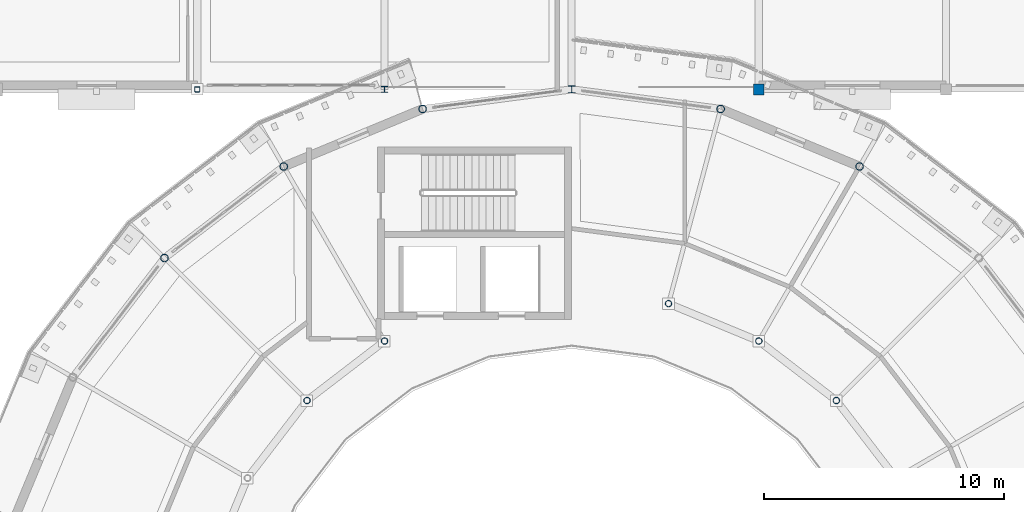
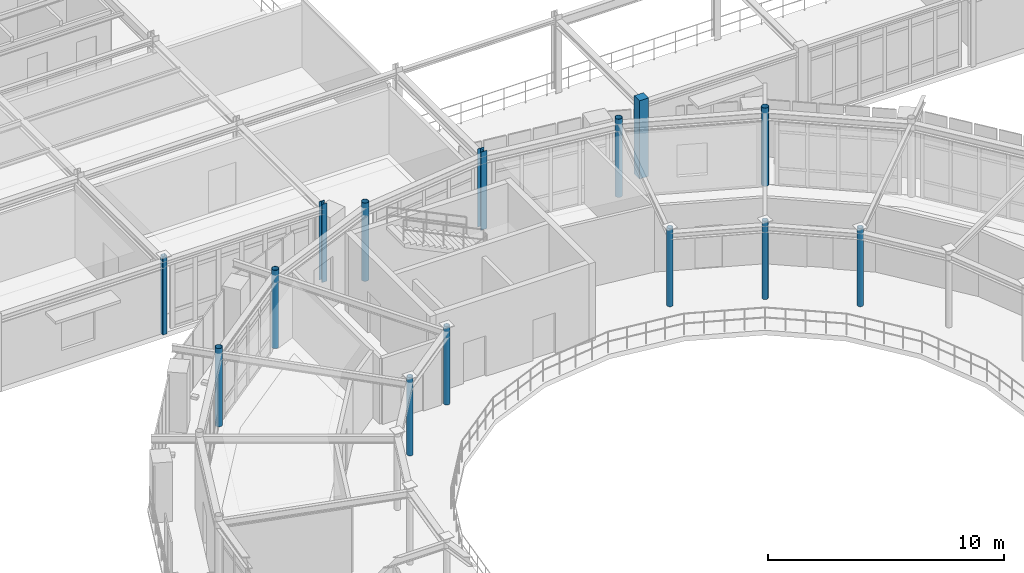
# One storey, part 12 of 70: 14 columns.
"""IFC4 building model written with IfcOpenShell, lengths in metres."""

from ifc_helpers import new_model, si_unit, derived_unit, direction, frame, origin, origin_2d, place, context, subcontext, project, spatial, rectangle, hollow_rectangle, hollow_circle, i_section, extrude, material, material_profile, profile_set, type_object, element, save


model = new_model("IFC4")

# Units and contexts
model_context = context("Model", 3, precision=1e-05, world=origin(), true_north=direction((0.0, 1.0)))
body_context = subcontext(model_context, "Body", "Model", "MODEL_VIEW")
ifc_project = project(units=[si_unit("LENGTHUNIT", "METRE"), si_unit("AREAUNIT", "SQUARE_METRE"), si_unit("VOLUMEUNIT", "CUBIC_METRE"), si_unit("PLANEANGLEUNIT", "RADIAN"), si_unit("MASSUNIT", "GRAM", prefix="KILO"), derived_unit("THERMALTRANSMITTANCEUNIT", [(si_unit("POWERUNIT", "WATT"), 1), (si_unit("AREAUNIT", "SQUARE_METRE"), -1), (si_unit("THERMODYNAMICTEMPERATUREUNIT", "KELVIN"), -1)])], contexts=[model_context])

# Site, building, storey
site_placement = place(None, origin())
site = spatial("IfcSite", under=ifc_project, at=site_placement, CompositionType="ELEMENT")
building_placement = place(site_placement, origin())
building = spatial("IfcBuilding", under=site, at=building_placement, Name="Yasenodar Specialist Clinic", CompositionType="ELEMENT")
storey_placement = place(building_placement, frame((0.0, 0.0, 13.199951171875)))
storey = spatial("IfcBuildingStorey", under=building, at=storey_placement, Name="L03", CompositionType="ELEMENT", Elevation=13.199951171875)

# Columns
ifc_material_1 = material(Name="Concrete C35/45", Category="concrete")
ifc_material_profile_1 = material_profile(ifc_material_1, rectangle(XDim=0.449951171875, YDim=0.449951171875, at=origin_2d()), Name="RC 450x450")
ifc_profile_set_1 = profile_set([ifc_material_profile_1], Name="Concrete C35/45")
column_type_1 = type_object("IfcColumnType", Name="COL-RC-450", PredefinedType="COLUMN", material=ifc_profile_set_1)
column_1_placement = place(storey_placement, frame((88.800048828125, 82.800048828125, 0.0), z_axis=(0.0, 0.0, 1.0), x_axis=(1.0, 0.0, 0.0)))
element("IfcColumn", 1, at=column_1_placement, inside=storey, type_object=column_type_1, Name="L03 Column V5-107", PredefinedType="COLUMN", context=body_context, shape_type="SweptSolid", body=[
    extrude(rectangle(XDim=0.449951171875, YDim=0.449951171875, at=origin_2d()), origin(), (0.0, 0.0, 1.0), 4.050048828125),
])
ifc_material_2 = material(Name="Steel S355", Category="steel")
ifc_material_profile_2 = material_profile(ifc_material_2, hollow_circle(Radius=0.136474609375, WallThickness=0.012451171875, at=origin_2d()), Name="CHS 273x12.5")
ifc_profile_set_2 = profile_set([ifc_material_profile_2], Name="Steel S355")
column_type_2 = type_object("IfcColumnType", Name="COL-ST-CHS273", PredefinedType="COLUMN", material=ifc_profile_set_2)
for number, where, z_axis, x_axis, name in (
    (2, (92.031005859375, 69.830810546875, 0.0), (0.0, 0.0, 1.0), (1.0, 0.0, 0.0), "L03 Drum V1 Inner Column 04"),
    (3, (88.800048828125, 72.31005859375, 0.0), (0.0, 0.0, 1.0), (1.0, 0.0, 0.0), "L03 Drum V1 Inner Column 05"),
    (4, (85.03759765625, 73.868408203125, 0.0), (0.0, 0.0, 1.0), (1.0, 0.0, 0.0), "L03 Drum V1 Inner Column 06"),
    (5, (73.199951171875, 72.31005859375, 0.0), (0.0, 0.0, 1.0), (1.0, 0.0, 0.0), "L03 Drum V1 Inner Column 09"),
    (6, (69.968994140625, 69.830810546875, 0.0), (0.0, 0.0, 1.0), (1.0, 0.0, 0.0), "L03 Drum V1 Inner Column 10"),
):
    element("IfcColumn", number, at=place(storey_placement, frame(where, z_axis=z_axis, x_axis=x_axis)), inside=storey, type_object=column_type_2, Name=name, PredefinedType="COLUMN", context=body_context, shape_type="SweptSolid", body=[
        extrude(hollow_circle(Radius=0.136474609375, WallThickness=0.012451171875, at=origin_2d()), origin(), (0.0, 0.0, 1.0), 4.050048828125),
    ])
ifc_material_profile_3 = material_profile(ifc_material_2, hollow_circle(Radius=0.161865234375, WallThickness=0.01611328125, at=origin_2d()), Name="CHS 323.9x16")
ifc_profile_set_3 = profile_set([ifc_material_profile_3], Name="Steel S355")
column_type_3 = type_object("IfcColumnType", Name="COL-ST-CHS324", PredefinedType="COLUMN", material=ifc_profile_set_3)
for number, where, z_axis, x_axis, name in (
    (7, (93.0, 79.584716796875, 0.0), (0.0, 0.0, 1.0), (1.0, 0.0, 0.0), "L03 Drum V1 Outer Column 05"),
    (8, (87.211669921875, 81.982177734375, 0.0), (0.0, 0.0, 1.0), (1.0, 0.0, 0.0), "L03 Drum V1 Outer Column 06"),
    (9, (74.788330078125, 81.982177734375, 0.0), (0.0, 0.0, 1.0), (1.0, 0.0, 0.0), "L03 Drum V1 Outer Column 08"),
    (10, (69.0, 79.584716796875, 0.0), (0.0, 0.0, 1.0), (1.0, 0.0, 0.0), "L03 Drum V1 Outer Column 09"),
    (11, (64.029296875, 75.7705078125, 0.0), (0.0, 0.0, 1.0), (1.0, 0.0, 0.0), "L03 Drum V1 Outer Column 10"),
):
    element("IfcColumn", number, at=place(storey_placement, frame(where, z_axis=z_axis, x_axis=x_axis)), inside=storey, type_object=column_type_3, Name=name, PredefinedType="COLUMN", context=body_context, shape_type="SweptSolid", body=[
        extrude(hollow_circle(Radius=0.161865234375, WallThickness=0.01611328125, at=origin_2d()), origin(), (0.0, 0.0, 1.0), 4.050048828125),
    ])
ifc_material_profile_4 = material_profile(ifc_material_2, i_section(OverallWidth=0.260009765625, OverallDepth=0.25, WebThickness=0.007568359375, FlangeThickness=0.012451171875, FilletRadius=0.02392578125, at=origin_2d()), Name="HEA 260")
ifc_profile_set_4 = profile_set([ifc_material_profile_4], Name="Steel S355")
column_type_4 = type_object("IfcColumnType", Name="COL-ST-HEA260", PredefinedType="COLUMN", material=ifc_profile_set_4)
column_2_placement = place(storey_placement, frame((73.199951171875, 82.800048828125, 0.0), z_axis=(0.0, 0.0, 1.0), x_axis=(1.0, 0.0, 0.0)))
element("IfcColumn", 12, at=column_2_placement, inside=storey, type_object=column_type_4, Name="L03 Column V5-098", PredefinedType="COLUMN", context=body_context, shape_type="SweptSolid", body=[
    extrude(i_section(OverallWidth=0.260009765625, OverallDepth=0.25, WebThickness=0.007568359375, FlangeThickness=0.012451171875, FilletRadius=0.02392578125, at=origin_2d()), origin(), (0.0, 0.0, 1.0), 4.050048828125),
])
ifc_material_profile_5 = material_profile(ifc_material_2, i_section(OverallWidth=0.300048828125, OverallDepth=0.2900390625, WebThickness=0.008544921875, FlangeThickness=0.013916015625, FilletRadius=0.027099609375, at=origin_2d()), Name="HEA 300")
ifc_profile_set_5 = profile_set([ifc_material_profile_5], Name="Steel S355")
column_type_5 = type_object("IfcColumnType", Name="COL-ST-HEA300", PredefinedType="COLUMN", material=ifc_profile_set_5)
column_3_placement = place(storey_placement, frame((81.0, 82.800048828125, 0.0), z_axis=(0.0, 0.0, 1.0), x_axis=(1.0, 0.0, 0.0)))
element("IfcColumn", 13, at=column_3_placement, inside=storey, type_object=column_type_5, Name="L03 Column V5-103", PredefinedType="COLUMN", context=body_context, shape_type="SweptSolid", body=[
    extrude(i_section(OverallWidth=0.300048828125, OverallDepth=0.2900390625, WebThickness=0.008544921875, FlangeThickness=0.013916015625, FilletRadius=0.027099609375, at=origin_2d()), origin(), (0.0, 0.0, 1.0), 4.050048828125),
])
ifc_material_profile_6 = material_profile(ifc_material_2, hollow_rectangle(XDim=0.219970703125, YDim=0.219970703125, WallThickness=0.012451171875, InnerFilletRadius=0.018798828125, OuterFilletRadius=0.03125, at=origin_2d()), Name="SHS 220x220x12.5")
ifc_profile_set_6 = profile_set([ifc_material_profile_6], Name="Steel S355")
column_type_6 = type_object("IfcColumnType", Name="COL-ST-SHS220", PredefinedType="COLUMN", material=ifc_profile_set_6)
column_4_placement = place(storey_placement, frame((65.39990234375, 82.800048828125, 0.0), z_axis=(0.0, 0.0, 1.0), x_axis=(1.0, 0.0, 0.0)))
element("IfcColumn", 14, at=column_4_placement, inside=storey, type_object=column_type_6, Name="L03 Column V5-093", PredefinedType="COLUMN", context=body_context, shape_type="SweptSolid", body=[
    extrude(hollow_rectangle(XDim=0.219970703125, YDim=0.219970703125, WallThickness=0.012451171875, InnerFilletRadius=0.018798828125, OuterFilletRadius=0.03125, at=origin_2d()), origin(), (0.0, 0.0, 1.0), 4.050048828125),
])

save(model, "model.ifc")
